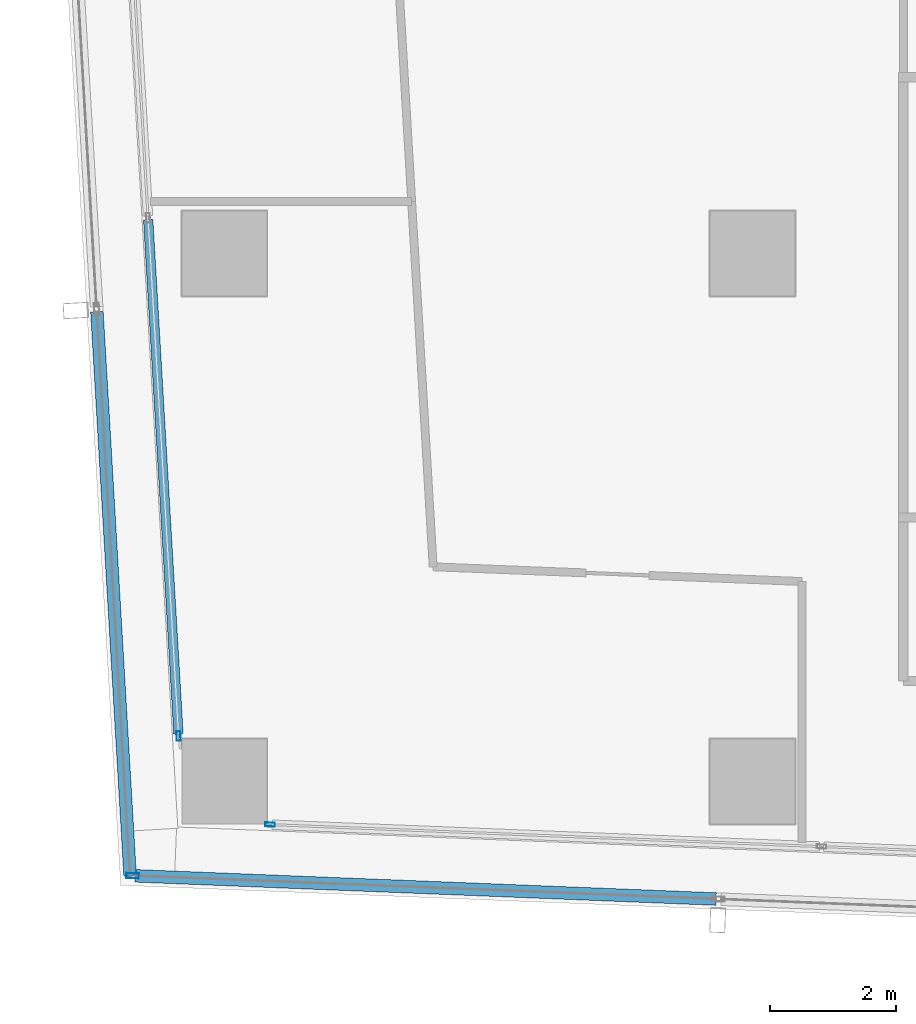
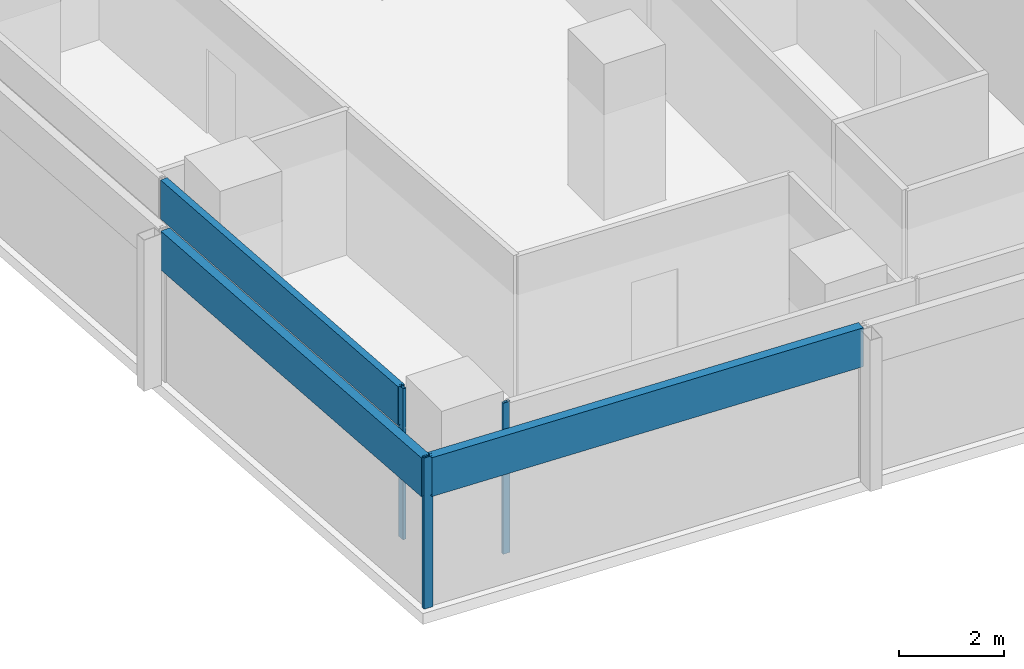
# One storey, part 2 of 38: 6 members, 4 elements without a shape of their own.
"""IFC4 building model written with IfcOpenShell, lengths in metres."""

import ifcopenshell
import ifcopenshell.guid

model = None  # the IFC model being written
_history = None  # IfcOwnerHistory: only IFC2X3 demands one
_inside = {}  # id of a spatial element -> (the spatial element, [elements in it])
_under = {}  # id of a project, library or spatial element -> (it, [spatial elements below it])
_declared = {}  # id of a project -> (the project, [libraries it declares])
_typed = {}  # id of a type object -> (the type object, [elements of that type])
_made_of = {}  # id of a material, layer set ... -> (it, [elements and type objects made of it])


def new_model(schema):
    """Start an empty IFC model of exactly this schema.

    Asked for "IFC4X3", IfcOpenShell would pick the latest addendum, in which some entities
    have other attributes; the version numbers below select the first issue.
    IFC2X3 requires an IfcOwnerHistory on every rooted entity: one is made here for all.
    """
    global model, _history
    if schema == "IFC4X3":
        model = ifcopenshell.file(schema_version=(4, 3, 0, 0))
    else:
        model = ifcopenshell.file(schema=schema)
    _inside.clear()
    _under.clear()
    _declared.clear()
    _typed.clear()
    _made_of.clear()
    _history = None
    if model.schema == "IFC2X3":
        org = make("IfcOrganization", Name="unknown")
        user = make(
            "IfcPersonAndOrganization",
            ThePerson=make("IfcPerson", FamilyName="unknown"),
            TheOrganization=org,
        )
        app = make(
            "IfcApplication",
            ApplicationDeveloper=org,
            Version="unknown",
            ApplicationFullName="unknown",
            ApplicationIdentifier="unknown",
        )
        _history = make(
            "IfcOwnerHistory",
            OwningUser=user,
            OwningApplication=app,
            ChangeAction="ADDED",
            CreationDate=0,
        )
    return model


def make(cls, **values):
    """One entity of the class cls with the attributes given. An attribute that is None is left unset."""
    return model.create_entity(
        cls, **{name: value for name, value in values.items() if value is not None}
    )


def rooted(cls, **values):
    """An entity with a GlobalId (a new one), such as an element, a storey or a relation."""
    return make(cls, GlobalId=ifcopenshell.guid.new(), OwnerHistory=_history, **values)


def si_unit(unit_type, name, prefix=None):
    """IfcSIUnit, for example si_unit("LENGTHUNIT", "METRE", prefix="MILLI")."""
    return make("IfcSIUnit", UnitType=unit_type, Prefix=prefix, Name=name)


def assignment(units):
    """IfcUnitAssignment: the units of a project."""
    return None if units is None else make("IfcUnitAssignment", Units=units)


def point(xyz):
    """IfcCartesianPoint."""
    return None if xyz is None else make("IfcCartesianPoint", Coordinates=xyz)


def direction(xyz):
    """IfcDirection."""
    return None if xyz is None else make("IfcDirection", DirectionRatios=xyz)


def frame(location, z_axis=None, x_axis=None):
    """IfcAxis2Placement3D, a coordinate frame: its origin and axes. An axis left out is left unset."""
    return make(
        "IfcAxis2Placement3D",
        Location=point(location),
        Axis=direction(z_axis),
        RefDirection=direction(x_axis),
    )


def frame_2d(location, x_axis=None):
    """IfcAxis2Placement2D, a coordinate frame in the plane: its origin and x axis."""
    return make(
        "IfcAxis2Placement2D", Location=point(location), RefDirection=direction(x_axis)
    )


def origin():
    """The frame at (0, 0, 0) with its axes left unset."""
    return frame((0.0, 0.0, 0.0))


def origin_2d():
    """The frame at (0, 0) in the plane with its x axis left unset."""
    return frame_2d((0.0, 0.0))


def place(relative_to, where):
    """IfcLocalPlacement: puts the frame where relative to a parent placement (None: the world)."""
    return make(
        "IfcLocalPlacement", PlacementRelTo=relative_to, RelativePlacement=where
    )


def context(
    kind, dimensions, precision=None, world=None, true_north=None, identifier=None
):
    """IfcGeometricRepresentationContext, for example the 3D "Model" context."""
    return make(
        "IfcGeometricRepresentationContext",
        ContextIdentifier=identifier,
        ContextType=kind,
        CoordinateSpaceDimension=dimensions,
        Precision=precision,
        WorldCoordinateSystem=world,
        TrueNorth=true_north,
    )


def subcontext(parent, identifier, kind, view, scale=None):
    """IfcGeometricRepresentationSubContext, for example "Body" below "Model"."""
    return make(
        "IfcGeometricRepresentationSubContext",
        ContextIdentifier=identifier,
        ContextType=kind,
        ParentContext=parent,
        TargetScale=scale,
        TargetView=view,
    )


def project(units=None, contexts=None):
    """IfcProject with its units and contexts."""
    return rooted(
        "IfcProject",
        Name="project",
        RepresentationContexts=contexts,
        UnitsInContext=assignment(units),
    )


def spatial(cls, under=None, at=None, **own):
    """A site, building, storey or space (cls), placed at a placement, below another one or the project."""
    s = rooted(cls, ObjectPlacement=at, **own)
    if under is not None:
        _under.setdefault(under.id(), (under, []))[1].append(s)
    return s


def profile(cls, at=None, kind="AREA", **sizes):
    """A parametric profile (cls). Its sizes go by their IFC names, for example OverallWidth=200.0."""
    return make(cls, ProfileType=kind, Position=at, **sizes)


def hollow_rectangle(**sizes):
    """IfcRectangleHollowProfileDef."""
    return profile("IfcRectangleHollowProfileDef", **sizes)


def extrude(swept, where, along, depth):
    """IfcExtrudedAreaSolid: the profile swept, set in the frame where, extruded along a direction by depth."""
    return make(
        "IfcExtrudedAreaSolid",
        SweptArea=swept,
        Position=where,
        ExtrudedDirection=direction(along),
        Depth=depth,
    )


def shape(context_of_items, identifier, shape_type, items):
    """IfcShapeRepresentation: the items that make up one representation, for example the "Body"."""
    return make(
        "IfcShapeRepresentation",
        ContextOfItems=context_of_items,
        RepresentationIdentifier=identifier,
        RepresentationType=shape_type,
        Items=items,
    )


def material(Name=None, Category=None):
    """IfcMaterial."""
    return make("IfcMaterial", Name=Name, Category=Category)


def material_profile(
    of_material, cross_section, Name=None, Category=None, Priority=None
):
    """IfcMaterialProfile: a cross section and its material."""
    return make(
        "IfcMaterialProfile",
        Name=Name,
        Material=of_material,
        Profile=cross_section,
        Priority=Priority,
        Category=Category,
    )


def profile_set(profiles, Name=None, composite=None):
    """IfcMaterialProfileSet."""
    return make(
        "IfcMaterialProfileSet",
        Name=Name,
        MaterialProfiles=profiles,
        CompositeProfile=composite,
    )


def made_of(thing, what):
    """Note that an element or type object is made of a material, layer set ...; save() writes the relation."""
    if what is not None:
        _made_of.setdefault(what.id(), (what, []))[1].append(thing)
    return thing


def type_object(cls, material=None, **own):
    """A type object (cls), such as IfcWallType, which elements share."""
    return made_of(rooted(cls, **own), material)


def element(
    cls,
    number,
    at=None,
    inside=None,
    cuts=None,
    type_object=None,
    material=None,
    context=None,
    identifier="Body",
    shape_type=None,
    held_by="IfcProductDefinitionShape",
    body=None,
    shapes=None,
    **own,
):
    """One element of the class cls, such as IfcWall. Its Tag is "e" and its number.

    at: its placement. inside: the storey or other place that contains it. cuts: it is an
    opening in that element (IfcRelVoidsElement). A single representation is given by context,
    identifier, shape_type and body (its items); several are given by shapes. held_by: the class
    of the entity that holds the representations. save() writes the other relations.
    """
    e = rooted(cls, Tag="e%d" % number, ObjectPlacement=at, **own)
    if body is not None:
        shapes = [shape(context, identifier, shape_type, body)]
    if shapes is not None:
        e.Representation = make(held_by, Representations=shapes)
    if inside is not None:
        _inside.setdefault(inside.id(), (inside, []))[1].append(e)
    if cuts is not None:
        rooted(
            "IfcRelVoidsElement", RelatingBuildingElement=cuts, RelatedOpeningElement=e
        )
    if type_object is not None:
        _typed.setdefault(type_object.id(), (type_object, []))[1].append(e)
    return made_of(e, material)


def aggregate(whole, parts):
    """IfcRelAggregates: a whole, such as a stair, and the parts it consists of."""
    return rooted("IfcRelAggregates", RelatingObject=whole, RelatedObjects=parts)


def save(model, path):
    """Write the relations noted so far, then the file.

    IfcRelAggregates (storeys below a building ...), IfcRelContainedInSpatialStructure (elements
    in a storey), IfcRelDefinesByType, IfcRelAssociatesMaterial and IfcRelDeclares: one each for
    every whole, place, type object, material and project.
    """
    for whole, parts in _under.values():
        aggregate(whole, parts)
    for where, things in _inside.values():
        rooted(
            "IfcRelContainedInSpatialStructure",
            RelatedElements=things,
            RelatingStructure=where,
        )
    for kind, things in _typed.values():
        rooted("IfcRelDefinesByType", RelatedObjects=things, RelatingType=kind)
    for what, things in _made_of.values():
        rooted("IfcRelAssociatesMaterial", RelatedObjects=things, RelatingMaterial=what)
    for by, libraries in _declared.values():
        rooted("IfcRelDeclares", RelatingContext=by, RelatedDefinitions=libraries)
    model.write(path)


model = new_model("IFC4")

# Units and contexts
model_context = context("Model", 3, precision=1e-05, world=origin(), true_north=direction((0.0, 1.0)))
body_context = subcontext(model_context, "Body", "Model", "MODEL_VIEW")
ifc_project = project(units=[si_unit("LENGTHUNIT", "METRE"), si_unit("AREAUNIT", "SQUARE_METRE"), si_unit("VOLUMEUNIT", "CUBIC_METRE"), si_unit("PLANEANGLEUNIT", "RADIAN"), si_unit("MASSUNIT", "GRAM", prefix="KILO")], contexts=[model_context])

# Site, building, storey
site_placement = place(None, origin())
site = spatial("IfcSite", under=ifc_project, at=site_placement, CompositionType="ELEMENT")
building_placement = place(site_placement, origin())
building = spatial("IfcBuilding", under=site, at=building_placement, Name="Rekha Terrace Tower", CompositionType="ELEMENT")
storey_placement = place(building_placement, frame((0.0, 0.0, 202.699951171875)))
storey = spatial("IfcBuildingStorey", under=building, at=storey_placement, Name="L51", CompositionType="ELEMENT", Elevation=202.699951171875)

# Curtain wall, member
ifc_material_1 = material(Name="Aluminium framing", Category="aluminium")
curtain_wall_type_1 = type_object("IfcCurtainWallType", Name="CW1 double skin inner glazing", PredefinedType="USERDEFINED", material=ifc_material_1)
curtain_wall_1_placement = place(storey_placement, origin())
curtain_wall_1 = element("IfcCurtainWall", 1, at=curtain_wall_1_placement, inside=storey, type_object=curtain_wall_type_1, Name="CW1 double skin inner glazing", ObjectType="DOUBLE SKIN INNER GLAZING", PredefinedType="USERDEFINED")
ifc_material_2 = material(Name="Aluminium mullion section", Category="aluminium")
ifc_material_profile_1 = material_profile(ifc_material_2, hollow_rectangle(XDim=0.06494140625, YDim=0.14990234375, WallThickness=0.00390625, at=origin_2d()), Name="AL RHS 65x150")
ifc_profile_set_1 = profile_set([ifc_material_profile_1], Name="Aluminium mullion section")
member_type_1 = type_object("IfcMemberType", Name="CW1 mullion RHS 65 x 150", PredefinedType="MULLION", material=ifc_profile_set_1)
member_1_placement = place(storey_placement, frame((9.127197265625, 16.115966796875, 0.0), z_axis=(0.0, 0.0, 1.0), x_axis=(0.039872497061, 0.999204775798, 0.0)))
member_1 = element("IfcMember", 2, at=member_1_placement, type_object=member_type_1, Name="CW1 mullion 1", PredefinedType="MULLION", context=body_context, shape_type="SweptSolid", body=[
    extrude(hollow_rectangle(XDim=0.06494140625, YDim=0.14990234375, WallThickness=0.00390625, at=origin_2d()), origin(), (0.0, 0.0, 1.0), 3.5),
])
aggregate(curtain_wall_1, [member_1])

# Curtain wall, members
curtain_wall_2_placement = place(storey_placement, origin())
curtain_wall_2 = element("IfcCurtainWall", 3, at=curtain_wall_2_placement, inside=storey, type_object=curtain_wall_type_1, Name="CW1 double skin inner glazing", ObjectType="DOUBLE SKIN INNER GLAZING", PredefinedType="USERDEFINED")
member_2_placement = place(storey_placement, frame((7.672119140625, 17.5244140625, 0.0), z_axis=(0.0, 0.0, 1.0), x_axis=(0.998271839269, 0.058765082516, 0.0)))
member_2 = element("IfcMember", 4, at=member_2_placement, type_object=member_type_1, Name="CW1 mullion 4", PredefinedType="MULLION", context=body_context, shape_type="SweptSolid", body=[
    extrude(hollow_rectangle(XDim=0.06494140625, YDim=0.14990234375, WallThickness=0.00390625, at=origin_2d()), origin(), (0.0, 0.0, 1.0), 3.5),
])
ifc_material_3 = material(Name="Insulated aluminium spandrel box", Category="aluminium")
ifc_material_profile_2 = material_profile(ifc_material_3, hollow_rectangle(XDim=0.14990234375, YDim=0.89990234375, WallThickness=0.0029296875, at=origin_2d()), Name="AL SPANDREL BOX 150x900")
ifc_profile_set_2 = profile_set([ifc_material_profile_2], Name="Insulated aluminium spandrel box")
member_type_2 = type_object("IfcMemberType", Name="CW1 spandrel transom 150 x 900", PredefinedType="USERDEFINED", material=ifc_profile_set_2)
member_3_placement = place(storey_placement, frame((7.188720703125, 25.733642578125, 3.050048828125), z_axis=(0.058777934282, -0.998271082643, 0.0), x_axis=(0.998271082643, 0.058777934282, 0.0)))
member_3 = element("IfcMember", 5, at=member_3_placement, type_object=member_type_2, Name="CW1 spandrel transom 3", ObjectType="TRANSOM", PredefinedType="USERDEFINED", context=body_context, shape_type="SweptSolid", body=[
    extrude(hollow_rectangle(XDim=0.14990234375, YDim=0.89990234375, WallThickness=0.0029296875, at=origin_2d()), origin(), (0.0, 0.0, 1.0), 8.19091796875),
])
aggregate(curtain_wall_2, [member_2, member_3])

curtain_wall_type_2 = type_object("IfcCurtainWallType", Name="CW2 double skin outer glazing", PredefinedType="USERDEFINED", material=ifc_material_1)
curtain_wall_3_placement = place(storey_placement, origin())
curtain_wall_3 = element("IfcCurtainWall", 6, at=curtain_wall_3_placement, inside=storey, type_object=curtain_wall_type_2, Name="CW2 double skin outer glazing", ObjectType="DOUBLE SKIN OUTER GLAZING", PredefinedType="USERDEFINED")
ifc_material_profile_3 = material_profile(ifc_material_2, hollow_rectangle(XDim=0.080078125, YDim=0.199951171875, WallThickness=0.00390625, at=origin_2d()), Name="AL RHS 80x200")
ifc_profile_set_3 = profile_set([ifc_material_profile_3], Name="Aluminium mullion section")
member_type_3 = type_object("IfcMemberType", Name="CW2 mullion RHS 80 x 200", PredefinedType="MULLION", material=ifc_profile_set_3)
member_4_placement = place(storey_placement, frame((6.941162109375, 15.302490234375, 0.0), z_axis=(0.0, 0.0, 1.0), x_axis=(0.039872497044, 0.999204775799, 0.0)))
member_4 = element("IfcMember", 7, at=member_4_placement, type_object=member_type_3, Name="CW2 mullion 1", PredefinedType="MULLION", context=body_context, shape_type="SweptSolid", body=[
    extrude(hollow_rectangle(XDim=0.080078125, YDim=0.199951171875, WallThickness=0.00390625, at=origin_2d()), origin(), (0.0, 0.0, 1.0), 3.5),
])
ifc_material_profile_4 = material_profile(ifc_material_3, hollow_rectangle(XDim=0.199951171875, YDim=0.89990234375, WallThickness=0.0029296875, at=origin_2d()), Name="AL SPANDREL BOX 200x900")
ifc_profile_set_4 = profile_set([ifc_material_profile_4], Name="Insulated aluminium spandrel box")
member_type_4 = type_object("IfcMemberType", Name="CW2 spandrel transom 200 x 900", PredefinedType="USERDEFINED", material=ifc_profile_set_4)
member_5_placement = place(storey_placement, frame((6.981201171875, 15.301025390625, 3.050048828125), z_axis=(0.999203782278, -0.039897386899, 0.0), x_axis=(0.039897386899, 0.999203782278, 0.0)))
member_5 = element("IfcMember", 8, at=member_5_placement, type_object=member_type_4, Name="CW2 spandrel transom 1", ObjectType="TRANSOM", PredefinedType="USERDEFINED", context=body_context, shape_type="SweptSolid", body=[
    extrude(hollow_rectangle(XDim=0.199951171875, YDim=0.89990234375, WallThickness=0.0029296875, at=origin_2d()), origin(), (0.0, 0.0, 1.0), 9.24609375),
])
aggregate(curtain_wall_3, [member_4, member_5])

# Curtain wall, member
curtain_wall_4_placement = place(storey_placement, origin())
curtain_wall_4 = element("IfcCurtainWall", 9, at=curtain_wall_4_placement, inside=storey, type_object=curtain_wall_type_2, Name="CW2 double skin outer glazing", ObjectType="DOUBLE SKIN OUTER GLAZING", PredefinedType="USERDEFINED")
member_6_placement = place(storey_placement, frame((6.373291015625, 24.27197265625, 3.050048828125), z_axis=(0.058757071111, -0.998272310842, 0.0), x_axis=(0.998272310842, 0.058757071111, 0.0)))
member_6 = element("IfcMember", 10, at=member_6_placement, type_object=member_type_4, Name="CW2 spandrel transom 3", ObjectType="TRANSOM", PredefinedType="USERDEFINED", context=body_context, shape_type="SweptSolid", body=[
    extrude(hollow_rectangle(XDim=0.199951171875, YDim=0.89990234375, WallThickness=0.0029296875, at=origin_2d()), origin(), (0.0, 0.0, 1.0), 8.9833984375),
])
aggregate(curtain_wall_4, [member_6])

save(model, "model.ifc")
